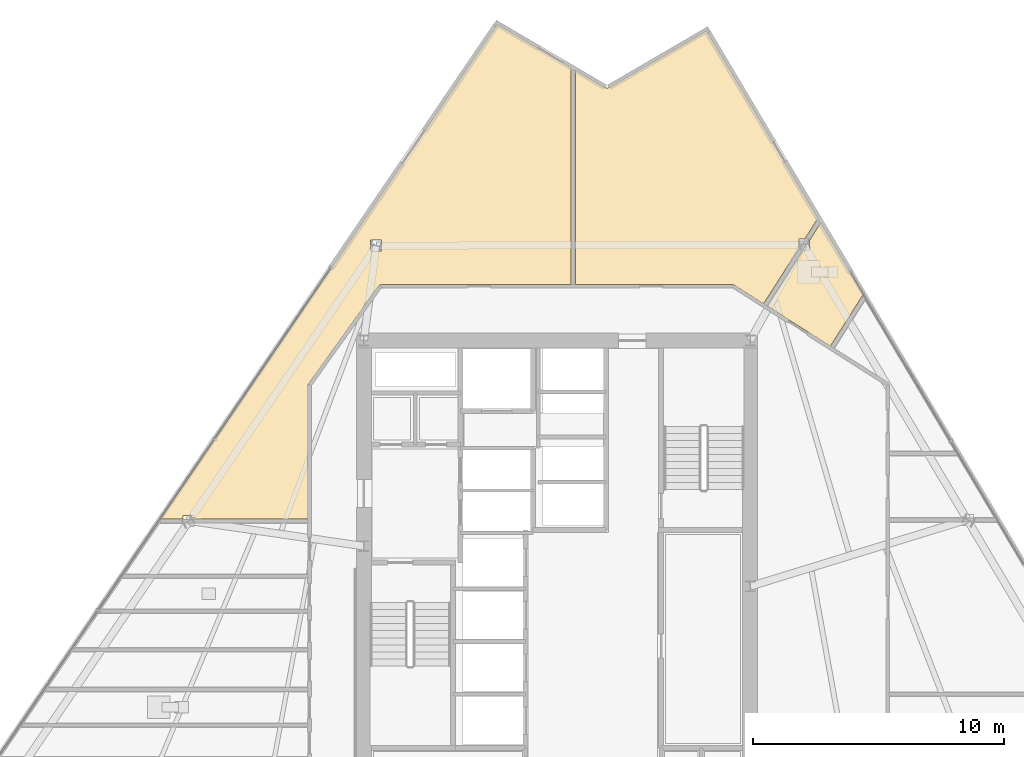
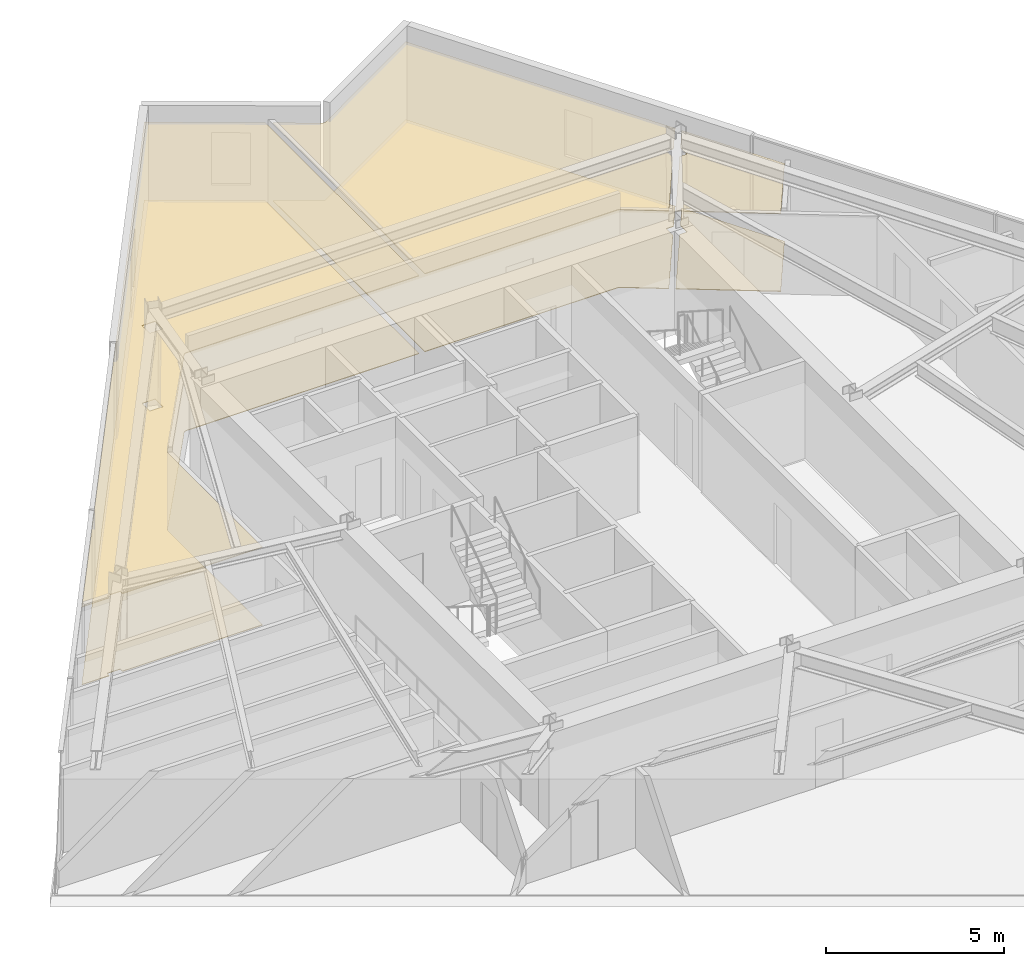
# One storey, part 14 of 15: 6 coverings.
"""IFC4 building model written with IfcOpenShell, lengths in metres."""

from ifc_helpers import new_model, si_unit, direction, frame, origin, place, context, subcontext, project, spatial, polyline, outline, extrude, material, layer, layer_set, type_object, element, save


model = new_model("IFC4")

# Units and contexts
model_context = context("Model", 3, precision=1e-05, world=origin(), true_north=direction((0.0, 1.0)))
body_context = subcontext(model_context, "Body", "Model", "MODEL_VIEW")
ifc_project = project(units=[si_unit("LENGTHUNIT", "METRE"), si_unit("AREAUNIT", "SQUARE_METRE"), si_unit("VOLUMEUNIT", "CUBIC_METRE"), si_unit("PLANEANGLEUNIT", "RADIAN"), si_unit("MASSUNIT", "GRAM", prefix="KILO")], contexts=[model_context])

# Site, building, storey
site_placement = place(None, origin())
site = spatial("IfcSite", under=ifc_project, at=site_placement, CompositionType="ELEMENT")
building_placement = place(site_placement, origin())
building = spatial("IfcBuilding", under=site, at=building_placement, Name="Savorim Split Tower", CompositionType="ELEMENT")
storey_placement = place(building_placement, frame((0.0, 0.0, 114.89990234375)))
storey = spatial("IfcBuildingStorey", under=building, at=storey_placement, Name="L30", CompositionType="ELEMENT", Elevation=114.89990234375)

# Coverings
ifc_material_1 = material(Name="Mineral Fibre Acoustic Ceiling")
ifc_layer_1 = layer(ifc_material_1, 0.02490234375)
ifc_layer_set_1 = layer_set([ifc_layer_1], Name="COV-CEIL-25")
covering_type_1 = type_object("IfcCoveringType", Name="COV-CEIL-25", PredefinedType="CEILING", material=ifc_layer_set_1)
covering_1_placement = place(storey_placement, frame((0.0, 0.0, 2.670166015625)))
element("IfcCovering", 1, at=covering_1_placement, inside=storey, type_object=covering_type_1, Name="L30 Shared Bathroom Acoustic Ceiling", PredefinedType="CEILING", context=body_context, shape_type="SweptSolid", body=[
    extrude(outline(polyline([(10.062744140625, 13.80810546875), (9.82373046875, 13.80810546875), (8.3935546875, 11.5595703125), (10.892822265625, 9.9697265625), (12.2119140625, 12.0439453125), (10.51611328125, 14.896240234375), (10.062744140625, 14.183837890625), (10.062744140625, 13.80810546875)])), origin(), (0.0, 0.0, 1.0), 0.02490234375),
])
covering_2_placement = place(storey_placement, frame((0.0, 0.0, 2.670166015625)))
element("IfcCovering", 2, at=covering_2_placement, inside=storey, type_object=covering_type_1, Name="L30 Maker Workshop Acoustic Ceiling", PredefinedType="CEILING", context=body_context, shape_type="SweptSolid", body=[
    extrude(outline(polyline([(1.955322265625, 20.260986328125), (1.944580078125, 20.265380859375), (1.934326171875, 20.270751953125), (0.740478515625, 20.972412109375), (0.740478515625, 12.419921875), (7.0, 12.419921875), (7.01318359375, 12.41943359375), (7.0263671875, 12.41748046875), (7.0390625, 12.414306640625), (7.051513671875, 12.41015625), (7.063720703125, 12.40478515625), (7.0751953125, 12.398193359375), (8.233154296875, 11.66162109375), (9.63671875, 13.8681640625), (9.63671875, 14.243896484375), (9.8759765625, 14.243896484375), (10.351318359375, 14.991455078125), (10.40234375, 15.071533203125), (10.41748046875, 15.06201171875), (5.96533203125, 22.54931640625), (2.0556640625, 20.2705078125), (2.04541015625, 20.26513671875), (2.03466796875, 20.260986328125), (2.023681640625, 20.257568359375), (2.01220703125, 20.25537109375), (2.000732421875, 20.25439453125), (1.9892578125, 20.25439453125), (1.977783203125, 20.255615234375), (1.96630859375, 20.2578125), (1.955322265625, 20.260986328125)])), origin(), (0.0, 0.0, 1.0), 0.02490234375),
])
covering_3_placement = place(storey_placement, frame((0.0, 0.0, 2.670166015625)))
element("IfcCovering", 3, at=covering_3_placement, inside=storey, type_object=covering_type_1, Name="L30 Maker Workshop Acoustic Ceiling", PredefinedType="CEILING", context=body_context, shape_type="SweptSolid", body=[
    extrude(outline(polyline([(-7.0, 12.419921875), (0.550537109375, 12.419921875), (0.550537109375, 21.083984375), (-2.384765625, 22.80908203125), (-15.798828125, 3.09033203125), (-14.8994140625, 3.09033203125), (-14.8994140625, 3.21337890625), (-14.473388671875, 3.21337890625), (-14.473388671875, 3.09033203125), (-9.919921875, 3.09033203125), (-9.919921875, 8.39990234375), (-9.919189453125, 8.41455078125), (-9.9169921875, 8.4287109375), (-9.913330078125, 8.44287109375), (-9.908203125, 8.456298828125), (-9.901611328125, 8.46923828125), (-9.893798828125, 8.4814453125), (-7.11376953125, 12.361572265625), (-7.105712890625, 12.3720703125), (-7.096435546875, 12.381591796875), (-7.086181640625, 12.39013671875), (-7.075439453125, 12.39794921875), (-7.06396484375, 12.404541015625), (-7.052001953125, 12.409912109375), (-7.039306640625, 12.414306640625), (-7.0263671875, 12.41748046875), (-7.01318359375, 12.41943359375), (-7.0, 12.419921875)]), holes=[polyline([(-7.002685546875, 14.1953125), (-7.4287109375, 14.1953125), (-7.4287109375, 13.75927734375), (-7.002685546875, 13.75927734375), (-7.002685546875, 14.1953125)])]), origin(), (0.0, 0.0, 1.0), 0.02490234375),
])
ifc_material_2 = material(Name="Porcelain Stoneware Flooring", Category="masonry")
ifc_layer_2 = layer(ifc_material_2, 0.02001953125)
ifc_layer_set_2 = layer_set([ifc_layer_2], Name="COV-FLOR-20")
covering_type_2 = type_object("IfcCoveringType", Name="COV-FLOR-20", PredefinedType="FLOORING", material=ifc_layer_set_2)
covering_4_placement = place(storey_placement, origin())
element("IfcCovering", 4, at=covering_4_placement, inside=storey, type_object=covering_type_2, Name="L30 Shared Bathroom Porcelain Flooring", PredefinedType="FLOORING", context=body_context, shape_type="SweptSolid", body=[
    extrude(outline(polyline([(10.062744140625, 13.80810546875), (9.82373046875, 13.80810546875), (8.3935546875, 11.5595703125), (10.892822265625, 9.9697265625), (12.2119140625, 12.0439453125), (10.51611328125, 14.896240234375), (10.062744140625, 14.183837890625), (10.062744140625, 13.80810546875)])), origin(), (0.0, 0.0, 1.0), 0.02001953125),
])
covering_5_placement = place(storey_placement, origin())
element("IfcCovering", 5, at=covering_5_placement, inside=storey, type_object=covering_type_2, Name="L30 Maker Workshop Porcelain Flooring", PredefinedType="FLOORING", context=body_context, shape_type="SweptSolid", body=[
    extrude(outline(polyline([(1.955322265625, 20.260986328125), (1.944580078125, 20.265380859375), (1.934326171875, 20.270751953125), (0.740478515625, 20.972412109375), (0.740478515625, 12.419921875), (7.0, 12.419921875), (7.01318359375, 12.41943359375), (7.0263671875, 12.41748046875), (7.0390625, 12.414306640625), (7.051513671875, 12.41015625), (7.063720703125, 12.40478515625), (7.0751953125, 12.398193359375), (8.233154296875, 11.66162109375), (9.63671875, 13.8681640625), (9.63671875, 14.243896484375), (9.8759765625, 14.243896484375), (10.351318359375, 14.991455078125), (10.40234375, 15.071533203125), (10.41748046875, 15.06201171875), (5.96533203125, 22.54931640625), (2.0556640625, 20.2705078125), (2.04541015625, 20.26513671875), (2.03466796875, 20.260986328125), (2.023681640625, 20.257568359375), (2.01220703125, 20.25537109375), (2.000732421875, 20.25439453125), (1.9892578125, 20.25439453125), (1.977783203125, 20.255615234375), (1.96630859375, 20.2578125), (1.955322265625, 20.260986328125)])), origin(), (0.0, 0.0, 1.0), 0.02001953125),
])
covering_6_placement = place(storey_placement, origin())
element("IfcCovering", 6, at=covering_6_placement, inside=storey, type_object=covering_type_2, Name="L30 Maker Workshop Porcelain Flooring", PredefinedType="FLOORING", context=body_context, shape_type="SweptSolid", body=[
    extrude(outline(polyline([(-7.0, 12.419921875), (0.550537109375, 12.419921875), (0.550537109375, 21.083984375), (-2.384765625, 22.80908203125), (-15.798828125, 3.09033203125), (-14.8994140625, 3.09033203125), (-14.8994140625, 3.21337890625), (-14.473388671875, 3.21337890625), (-14.473388671875, 3.09033203125), (-9.919921875, 3.09033203125), (-9.919921875, 8.39990234375), (-9.919189453125, 8.41455078125), (-9.9169921875, 8.4287109375), (-9.913330078125, 8.44287109375), (-9.908203125, 8.456298828125), (-9.901611328125, 8.46923828125), (-9.893798828125, 8.4814453125), (-7.11376953125, 12.361572265625), (-7.105712890625, 12.3720703125), (-7.096435546875, 12.381591796875), (-7.086181640625, 12.39013671875), (-7.075439453125, 12.39794921875), (-7.06396484375, 12.404541015625), (-7.052001953125, 12.409912109375), (-7.039306640625, 12.414306640625), (-7.0263671875, 12.41748046875), (-7.01318359375, 12.41943359375), (-7.0, 12.419921875)]), holes=[polyline([(-7.002685546875, 14.1953125), (-7.4287109375, 14.1953125), (-7.4287109375, 13.75927734375), (-7.002685546875, 13.75927734375), (-7.002685546875, 14.1953125)])]), origin(), (0.0, 0.0, 1.0), 0.02001953125),
])

save(model, "model.ifc")
